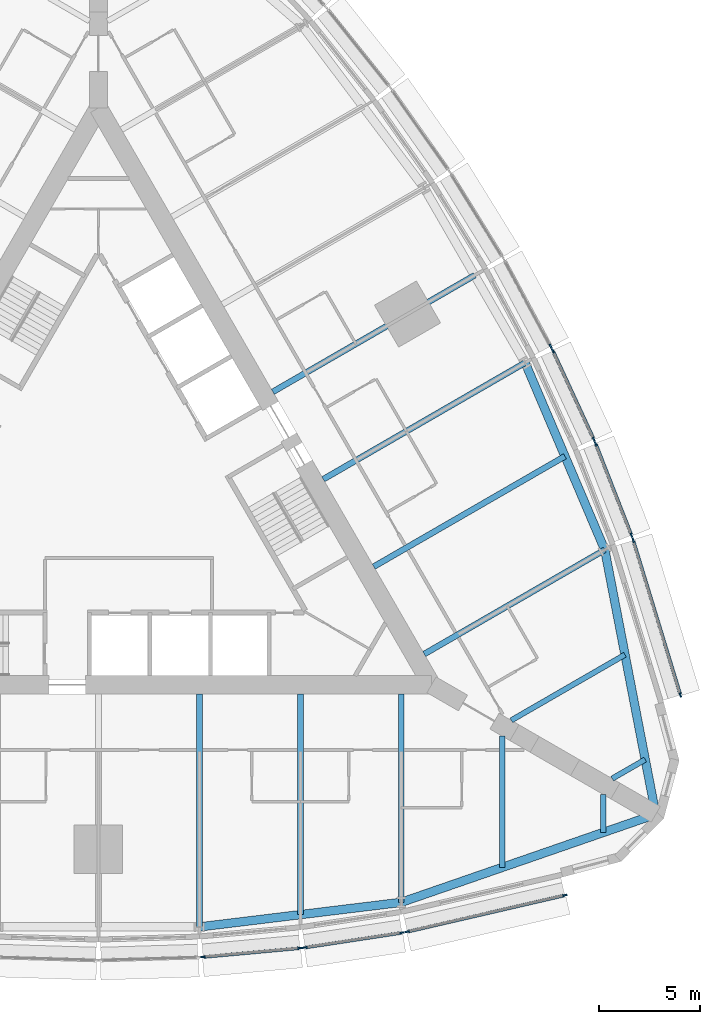
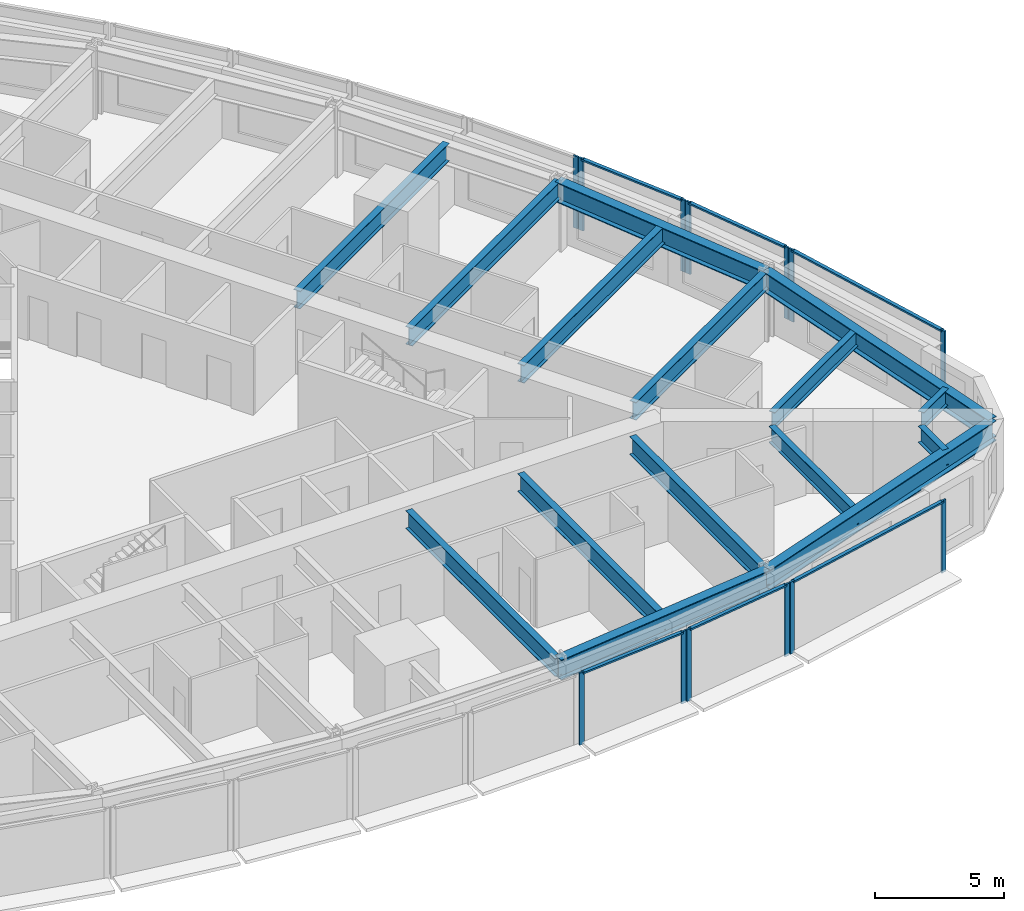
# One storey, part 3 of 14: 19 members, 15 beams, 7 elements without a shape of their own.
"""IFC4 building model written with IfcOpenShell, lengths in metres."""

from ifc_helpers import new_model, si_unit, direction, frame, origin, origin_2d, place, context, subcontext, project, spatial, rectangle, i_section, extrude, material, material_profile, profile_set, type_object, element, aggregate, save


model = new_model("IFC4")

# Units and contexts
model_context = context("Model", 3, precision=1e-05, world=origin(), true_north=direction((0.0, 1.0)))
body_context = subcontext(model_context, "Body", "Model", "MODEL_VIEW")
ifc_project = project(units=[si_unit("LENGTHUNIT", "METRE"), si_unit("AREAUNIT", "SQUARE_METRE"), si_unit("VOLUMEUNIT", "CUBIC_METRE"), si_unit("PLANEANGLEUNIT", "RADIAN"), si_unit("MASSUNIT", "GRAM", prefix="KILO")], contexts=[model_context])

# Site, building, storey
site_placement = place(None, origin())
site = spatial("IfcSite", under=ifc_project, at=site_placement, CompositionType="ELEMENT")
building_placement = place(site_placement, origin())
building = spatial("IfcBuilding", under=site, at=building_placement, Name="Trikona Tower", CompositionType="ELEMENT")
storey_placement = place(building_placement, frame((0.0, 0.0, 93.10009765625)))
storey = spatial("IfcBuildingStorey", under=building, at=storey_placement, Name="L24", CompositionType="ELEMENT", Elevation=93.10009765625)

# Curtain wall, members
ifc_material_1 = material(Name="Aluminium curtain wall system", Category="aluminium")
curtain_wall_type = type_object("IfcCurtainWallType", Name="Curtain wall DS1", PredefinedType="NOTDEFINED", material=ifc_material_1)
curtain_wall_1_placement = place(storey_placement, origin())
curtain_wall_1 = element("IfcCurtainWall", 1, at=curtain_wall_1_placement, inside=storey, type_object=curtain_wall_type, Name="Curtain wall DS1 L24", PredefinedType="NOTDEFINED")
ifc_material_2 = material(Name="Aluminium mullion, pale anodised", Category="aluminium")
ifc_material_profile_1 = material_profile(ifc_material_2, rectangle(XDim=0.080078125, YDim=0.219970703125, at=origin_2d()), Name="MUL-DS1")
ifc_profile_set_1 = profile_set([ifc_material_profile_1], Name="Aluminium mullion, pale anodised")
member_type_1 = type_object("IfcMemberType", Name="Mullion DS1 80x220", PredefinedType="MULLION", material=ifc_profile_set_1)
member_1_placement = place(storey_placement, frame((5.181396484375, -23.007568359375, 0.0), z_axis=(0.0, 0.0, 1.0), x_axis=(-0.090923932737, 0.995857840485, 0.0)))
member_1 = element("IfcMember", 2, at=member_1_placement, type_object=member_type_1, Name="CW-DS1 mullion 1", PredefinedType="MULLION", context=body_context, shape_type="SweptSolid", body=[
    extrude(rectangle(XDim=0.080078125, YDim=0.219970703125, at=origin_2d()), origin(), (0.0, 0.0, 1.0), 3.39990234375),
])
member_2_placement = place(storey_placement, frame((9.982177734375, -22.5693359375, 0.0), z_axis=(0.0, 0.0, 1.0), x_axis=(-0.090923932737, 0.995857840485, 0.0)))
member_2 = element("IfcMember", 3, at=member_2_placement, type_object=member_type_1, Name="CW-DS1 mullion 2", PredefinedType="MULLION", context=body_context, shape_type="SweptSolid", body=[
    extrude(rectangle(XDim=0.080078125, YDim=0.219970703125, at=origin_2d()), origin(), (0.0, 0.0, 1.0), 3.39990234375),
])

curtain_wall_2_placement = place(storey_placement, origin())
curtain_wall_2 = element("IfcCurtainWall", 4, at=curtain_wall_2_placement, inside=storey, type_object=curtain_wall_type, Name="Curtain wall DS1 L24", PredefinedType="NOTDEFINED")
member_3_placement = place(storey_placement, frame((10.234130859375, -22.53857421875, 0.0), z_axis=(0.0, 0.0, 1.0), x_axis=(-0.150437693845, 0.988619492156, 0.0)))
member_3 = element("IfcMember", 5, at=member_3_placement, type_object=member_type_1, Name="CW-DS1 mullion 1", PredefinedType="MULLION", context=body_context, shape_type="SweptSolid", body=[
    extrude(rectangle(XDim=0.080078125, YDim=0.219970703125, at=origin_2d()), origin(), (0.0, 0.0, 1.0), 3.39990234375),
])
member_4_placement = place(storey_placement, frame((15.03662109375, -21.807861328125, 0.0), z_axis=(0.0, 0.0, 1.0), x_axis=(-0.150437693845, 0.988619492156, 0.0)))
member_4 = element("IfcMember", 6, at=member_4_placement, type_object=member_type_1, Name="CW-DS1 mullion 2", PredefinedType="MULLION", context=body_context, shape_type="SweptSolid", body=[
    extrude(rectangle(XDim=0.080078125, YDim=0.219970703125, at=origin_2d()), origin(), (0.0, 0.0, 1.0), 3.39990234375),
])

curtain_wall_3_placement = place(storey_placement, origin())
curtain_wall_3 = element("IfcCurtainWall", 7, at=curtain_wall_3_placement, inside=storey, type_object=curtain_wall_type, Name="Curtain wall DS1 L24", PredefinedType="NOTDEFINED")
member_5_placement = place(storey_placement, frame((15.30029296875, -21.75732421875, 0.0), z_axis=(0.0, 0.0, 1.0), x_axis=(-0.225343288756, 0.974279427173, 0.0)))
member_5 = element("IfcMember", 8, at=member_5_placement, type_object=member_type_1, Name="CW-DS1 mullion 1", PredefinedType="MULLION", context=body_context, shape_type="SweptSolid", body=[
    extrude(rectangle(XDim=0.080078125, YDim=0.219970703125, at=origin_2d()), origin(), (0.0, 0.0, 1.0), 3.39990234375),
])
member_6_placement = place(storey_placement, frame((23.10546875, -19.951904296875, 0.0), z_axis=(0.0, 0.0, 1.0), x_axis=(-0.225343288756, 0.974279427173, 0.0)))
member_6 = element("IfcMember", 9, at=member_6_placement, type_object=member_type_1, Name="CW-DS1 mullion 2", PredefinedType="MULLION", context=body_context, shape_type="SweptSolid", body=[
    extrude(rectangle(XDim=0.080078125, YDim=0.219970703125, at=origin_2d()), origin(), (0.0, 0.0, 1.0), 3.39990234375),
])

curtain_wall_4_placement = place(storey_placement, origin())
curtain_wall_4 = element("IfcCurtainWall", 10, at=curtain_wall_4_placement, inside=storey, type_object=curtain_wall_type, Name="Curtain wall DS1 L24", PredefinedType="NOTDEFINED")
member_7_placement = place(storey_placement, frame((28.83154296875, -10.033935546875, 0.0), z_axis=(0.0, 0.0, 1.0), x_axis=(-0.956423115383, -0.291984287868, 0.0)))
member_7 = element("IfcMember", 11, at=member_7_placement, type_object=member_type_1, Name="CW-DS1 mullion 1", PredefinedType="MULLION", context=body_context, shape_type="SweptSolid", body=[
    extrude(rectangle(XDim=0.080078125, YDim=0.219970703125, at=origin_2d()), origin(), (0.0, 0.0, 1.0), 3.39990234375),
])
member_8_placement = place(storey_placement, frame((26.492431640625, -2.371826171875, 0.0), z_axis=(0.0, 0.0, 1.0), x_axis=(-0.956423115383, -0.291984287868, 0.0)))
member_8 = element("IfcMember", 12, at=member_8_placement, type_object=member_type_1, Name="CW-DS1 mullion 2", PredefinedType="MULLION", context=body_context, shape_type="SweptSolid", body=[
    extrude(rectangle(XDim=0.080078125, YDim=0.219970703125, at=origin_2d()), origin(), (0.0, 0.0, 1.0), 3.39990234375),
])

curtain_wall_5_placement = place(storey_placement, origin())
curtain_wall_5 = element("IfcCurtainWall", 13, at=curtain_wall_5_placement, inside=storey, type_object=curtain_wall_type, Name="Curtain wall DS1 L24", PredefinedType="NOTDEFINED")
member_9_placement = place(storey_placement, frame((26.404296875, -2.1181640625, 0.0), z_axis=(0.0, 0.0, 1.0), x_axis=(-0.931395989443, -0.36400756977, 0.0)))
member_9 = element("IfcMember", 14, at=member_9_placement, type_object=member_type_1, Name="CW-DS1 mullion 1", PredefinedType="MULLION", context=body_context, shape_type="SweptSolid", body=[
    extrude(rectangle(XDim=0.080078125, YDim=0.219970703125, at=origin_2d()), origin(), (0.0, 0.0, 1.0), 3.39990234375),
])
member_10_placement = place(storey_placement, frame((24.63623046875, 2.40625, 0.0), z_axis=(0.0, 0.0, 1.0), x_axis=(-0.931395989443, -0.36400756977, 0.0)))
member_10 = element("IfcMember", 15, at=member_10_placement, type_object=member_type_1, Name="CW-DS1 mullion 2", PredefinedType="MULLION", context=body_context, shape_type="SweptSolid", body=[
    extrude(rectangle(XDim=0.080078125, YDim=0.219970703125, at=origin_2d()), origin(), (0.0, 0.0, 1.0), 3.39990234375),
])

curtain_wall_6_placement = place(storey_placement, origin())
curtain_wall_6 = element("IfcCurtainWall", 16, at=curtain_wall_6_placement, inside=storey, type_object=curtain_wall_type, Name="Curtain wall DS1 L24", PredefinedType="NOTDEFINED")
member_11_placement = place(storey_placement, frame((24.53662109375, 2.6396484375, 0.0), z_axis=(0.0, 0.0, 1.0), x_axis=(-0.907898459992, -0.419190155352, 0.0)))
member_11 = element("IfcMember", 17, at=member_11_placement, type_object=member_type_1, Name="CW-DS1 mullion 1", PredefinedType="MULLION", context=body_context, shape_type="SweptSolid", body=[
    extrude(rectangle(XDim=0.080078125, YDim=0.219970703125, at=origin_2d()), origin(), (0.0, 0.0, 1.0), 3.39990234375),
])
member_12_placement = place(storey_placement, frame((22.515869140625, 7.0166015625, 0.0), z_axis=(0.0, 0.0, 1.0), x_axis=(-0.907898459992, -0.419190155352, 0.0)))
member_12 = element("IfcMember", 18, at=member_12_placement, type_object=member_type_1, Name="CW-DS1 mullion 2", PredefinedType="MULLION", context=body_context, shape_type="SweptSolid", body=[
    extrude(rectangle(XDim=0.080078125, YDim=0.219970703125, at=origin_2d()), origin(), (0.0, 0.0, 1.0), 3.39990234375),
])

# Curtain wall, member
curtain_wall_7_placement = place(storey_placement, origin())
curtain_wall_7 = element("IfcCurtainWall", 19, at=curtain_wall_7_placement, inside=storey, type_object=curtain_wall_type, Name="Curtain wall DS1 L24", PredefinedType="NOTDEFINED")
member_13_placement = place(storey_placement, frame((22.402099609375, 7.244140625, 0.0), z_axis=(0.0, 0.0, 1.0), x_axis=(-0.880843080975, -0.473408350896, 0.0)))
member_13 = element("IfcMember", 20, at=member_13_placement, type_object=member_type_1, Name="CW-DS1 mullion 1", PredefinedType="MULLION", context=body_context, shape_type="SweptSolid", body=[
    extrude(rectangle(XDim=0.080078125, YDim=0.219970703125, at=origin_2d()), origin(), (0.0, 0.0, 1.0), 3.39990234375),
])
aggregate(curtain_wall_7, [member_13])

# Beams
ifc_material_3 = material(Name="Steel ASTM A992 Grade 50", Category="steel")
ifc_material_profile_2 = material_profile(ifc_material_3, i_section(OverallWidth=0.2666015625, OverallDepth=0.76953125, WebThickness=0.015625, FlangeThickness=0.025390625, at=origin_2d()), Name="W30X132")
ifc_profile_set_2 = profile_set([ifc_material_profile_2], Name="Steel ASTM A992 Grade 50")
beam_type_1 = type_object("IfcBeamType", Name="Steel beam W30x132 (wedge)", PredefinedType="BEAM", material=ifc_profile_set_2)
beam_1_placement = place(storey_placement, frame((20.0, -12.066650390625, 2.85009765625), z_axis=(0.0, -1.0, 0.0), x_axis=(1.0, 0.0, 0.0)))
element("IfcBeam", 21, at=beam_1_placement, inside=storey, type_object=beam_type_1, Name="Floor beam L25 F1 u20", PredefinedType="BEAM", context=body_context, shape_type="SweptSolid", body=[
    extrude(i_section(OverallWidth=0.2666015625, OverallDepth=0.76953125, WebThickness=0.015625, FlangeThickness=0.025390625, at=origin_2d()), origin(), (0.0, 0.0, 1.0), 6.5068359375),
])
for number, where, z_axis, x_axis, name in (
    (22, (25.0, -14.953369140625, 2.85009765625), (0.0, -1.0, 0.0), (1.0, 0.0, 0.0), "Floor beam L25 F1 u25"),
    (23, (25.449951171875, -14.173828125, 2.85009765625), (0.866065156741, 0.499931139538, 0.0), (-0.499931139538, 0.866065156741, 0.0), "Floor beam L25 F2 u-25"),
):
    element("IfcBeam", number, at=place(storey_placement, frame(where, z_axis=z_axis, x_axis=x_axis)), inside=storey, type_object=beam_type_1, Name=name, PredefinedType="BEAM", context=body_context, shape_type="SweptSolid", body=[
        extrude(i_section(OverallWidth=0.2666015625, OverallDepth=0.76953125, WebThickness=0.015625, FlangeThickness=0.025390625, at=origin_2d()), origin(), (0.0, 0.0, 1.0), 1.890380859375),
    ])
beam_2_placement = place(storey_placement, frame((20.449951171875, -11.287109375, 2.85009765625), z_axis=(0.866022504693, 0.50000502134, 0.0), x_axis=(-0.50000502134, 0.866022504693, 0.0)))
element("IfcBeam", 24, at=beam_2_placement, inside=storey, type_object=beam_type_1, Name="Floor beam L25 F2 u-20", PredefinedType="BEAM", context=body_context, shape_type="SweptSolid", body=[
    extrude(i_section(OverallWidth=0.2666015625, OverallDepth=0.76953125, WebThickness=0.015625, FlangeThickness=0.025390625, at=origin_2d()), origin(), (0.0, 0.0, 1.0), 6.5068359375),
])
ifc_material_4 = material(Name="Steel ASTM A992 Grade 50", Category="steel")
ifc_material_profile_3 = material_profile(ifc_material_4, i_section(OverallWidth=0.2919921875, OverallDepth=0.845703125, WebThickness=0.015380859375, FlangeThickness=0.0244140625, at=origin_2d()), Name="W33X141")
ifc_profile_set_3 = profile_set([ifc_material_profile_3], Name="Steel ASTM A992 Grade 50")
beam_type_2 = type_object("IfcBeamType", Name="Steel beam W33x141 (radial typ)", PredefinedType="BEAM", material=ifc_profile_set_3)
beam_3_placement = place(storey_placement, frame((5.0, -9.976318359375, 2.81201171875), z_axis=(0.0, -1.0, 0.0), x_axis=(1.0, 0.0, 0.0)))
element("IfcBeam", 25, at=beam_3_placement, inside=storey, type_object=beam_type_2, Name="Floor beam L25 F1 u5", PredefinedType="BEAM", context=body_context, shape_type="SweptSolid", body=[
    extrude(i_section(OverallWidth=0.2919921875, OverallDepth=0.845703125, WebThickness=0.015380859375, FlangeThickness=0.0244140625, at=origin_2d()), origin(), (0.0, 0.0, 1.0), 11.544189453125),
])
beam_4_placement = place(storey_placement, frame((10.0, -9.976318359375, 2.81201171875), z_axis=(0.0, -1.0, 0.0), x_axis=(1.0, 0.0, 0.0)))
element("IfcBeam", 26, at=beam_4_placement, inside=storey, type_object=beam_type_2, Name="Floor beam L25 F1 u10", PredefinedType="BEAM", context=body_context, shape_type="SweptSolid", body=[
    extrude(i_section(OverallWidth=0.2919921875, OverallDepth=0.845703125, WebThickness=0.015380859375, FlangeThickness=0.0244140625, at=origin_2d()), origin(), (0.0, 0.0, 1.0), 10.935302734375),
])
beam_5_placement = place(storey_placement, frame((15.0, -9.976318359375, 2.81201171875), z_axis=(0.0, -1.0, 0.0), x_axis=(1.0, 0.0, 0.0)))
element("IfcBeam", 27, at=beam_5_placement, inside=storey, type_object=beam_type_2, Name="Floor beam L25 F1 u15", PredefinedType="BEAM", context=body_context, shape_type="SweptSolid", body=[
    extrude(i_section(OverallWidth=0.2919921875, OverallDepth=0.845703125, WebThickness=0.015380859375, FlangeThickness=0.0244140625, at=origin_2d()), origin(), (0.0, 0.0, 1.0), 10.32666015625),
])
beam_6_placement = place(storey_placement, frame((16.1396484375, -8.002197265625, 2.81201171875), z_axis=(0.866030471684, 0.499991222037, 0.0), x_axis=(-0.499991222037, 0.866030471684, 0.0)))
element("IfcBeam", 28, at=beam_6_placement, inside=storey, type_object=beam_type_2, Name="Floor beam L25 F2 u-15", PredefinedType="BEAM", context=body_context, shape_type="SweptSolid", body=[
    extrude(i_section(OverallWidth=0.2919921875, OverallDepth=0.845703125, WebThickness=0.015380859375, FlangeThickness=0.0244140625, at=origin_2d()), origin(), (0.0, 0.0, 1.0), 10.326904296875),
])
beam_7_placement = place(storey_placement, frame((13.6396484375, -3.672119140625, 2.81201171875), z_axis=(0.866025348605, 0.500000095573, 0.0), x_axis=(-0.500000095573, 0.866025348605, 0.0)))
element("IfcBeam", 29, at=beam_7_placement, inside=storey, type_object=beam_type_2, Name="Floor beam L25 F2 u-10", PredefinedType="BEAM", context=body_context, shape_type="SweptSolid", body=[
    extrude(i_section(OverallWidth=0.2919921875, OverallDepth=0.845703125, WebThickness=0.015380859375, FlangeThickness=0.0244140625, at=origin_2d()), origin(), (0.0, 0.0, 1.0), 10.935546875),
])
for number, where, z_axis, x_axis, name in (
    (30, (11.1396484375, 0.657958984375, 2.81201171875), (0.866020765707, 0.500008033299, 0.0), (-0.500008033299, 0.866020765707, 0.0), "Floor beam L25 F2 u-5"),
    (31, (8.6396484375, 4.988037109375, 2.81201171875), (0.866020765707, 0.500008033299, 0.0), (-0.500008033299, 0.866020765707, 0.0), "Floor beam L25 F2 u0"),
):
    element("IfcBeam", number, at=place(storey_placement, frame(where, z_axis=z_axis, x_axis=x_axis)), inside=storey, type_object=beam_type_2, Name=name, PredefinedType="BEAM", context=body_context, shape_type="SweptSolid", body=[
        extrude(i_section(OverallWidth=0.2919921875, OverallDepth=0.845703125, WebThickness=0.015380859375, FlangeThickness=0.0244140625, at=origin_2d()), origin(), (0.0, 0.0, 1.0), 11.544189453125),
    ])
ifc_material_5 = material(Name="Steel ASTM A992 Grade 50", Category="steel")
ifc_material_profile_4 = material_profile(ifc_material_5, i_section(OverallWidth=0.424072265625, OverallDepth=0.947509765625, WebThickness=0.02392578125, FlangeThickness=0.042724609375, at=origin_2d()), Name="W36X302")
ifc_profile_set_4 = profile_set([ifc_material_profile_4], Name="Steel ASTM A992 Grade 50")
beam_type_3 = type_object("IfcBeamType", Name="Steel beam W36x302 (spandrel)", PredefinedType="SPANDREL", material=ifc_profile_set_4)
beam_8_placement = place(storey_placement, frame((5.0, -21.5205078125, 2.76123046875), z_axis=(0.99266951126, 0.120860421207, 0.0), x_axis=(-0.120860421207, 0.99266951126, 0.0)))
element("IfcBeam", 32, at=beam_8_placement, inside=storey, type_object=beam_type_3, Name="Spandrel beam L25 F1-4", PredefinedType="SPANDREL", context=body_context, shape_type="SweptSolid", body=[
    extrude(i_section(OverallWidth=0.424072265625, OverallDepth=0.947509765625, WebThickness=0.02392578125, FlangeThickness=0.042724609375, at=origin_2d()), origin(), (0.0, 0.0, 1.0), 10.07373046875),
])
for number, where, z_axis, x_axis, name in (
    (33, (15.0, -20.302978515625, 2.76123046875), (0.945056965739, 0.326905692071, 0.0), (-0.326905692071, 0.945056965739, 0.0), "Spandrel beam L25 F1-5"),
    (34, (27.6103515625, -15.94091796875, 2.76123046875), (-0.189405184036, 0.981899015307, 0.0), (-0.981899015307, -0.189405184036, 0.0), "Spandrel beam L25 F2-1"),
):
    element("IfcBeam", number, at=place(storey_placement, frame(where, z_axis=z_axis, x_axis=x_axis)), inside=storey, type_object=beam_type_3, Name=name, PredefinedType="SPANDREL", context=body_context, shape_type="SweptSolid", body=[
        extrude(i_section(OverallWidth=0.424072265625, OverallDepth=0.947509765625, WebThickness=0.02392578125, FlangeThickness=0.042724609375, at=origin_2d()), origin(), (0.0, 0.0, 1.0), 13.343505859375),
    ])
beam_9_placement = place(storey_placement, frame((25.0830078125, -2.8388671875, 2.76123046875), z_axis=(-0.391683514847, 0.920100007715, 0.0), x_axis=(-0.920100007715, -0.391683514847, 0.0)))
element("IfcBeam", 35, at=beam_9_placement, inside=storey, type_object=beam_type_3, Name="Spandrel beam L25 F2-2", PredefinedType="SPANDREL", context=body_context, shape_type="SweptSolid", body=[
    extrude(i_section(OverallWidth=0.424072265625, OverallDepth=0.947509765625, WebThickness=0.02392578125, FlangeThickness=0.042724609375, at=origin_2d()), origin(), (0.0, 0.0, 1.0), 10.073974609375),
])

# Member
ifc_material_6 = material(Name="Aluminium transom, pale anodised", Category="aluminium")
ifc_material_profile_5 = material_profile(ifc_material_6, rectangle(XDim=0.159912109375, YDim=0.080078125, at=origin_2d()), Name="TRN-DS1")
ifc_profile_set_5 = profile_set([ifc_material_profile_5], Name="Aluminium transom, pale anodised")
member_type_2 = type_object("IfcMemberType", Name="Transom DS1 80x160", PredefinedType="USERDEFINED", material=ifc_profile_set_5)
member_14_placement = place(storey_placement, frame((5.22119140625, -23.00390625, 3.35986328125), z_axis=(0.995855977008, 0.090944340438, 0.0), x_axis=(-0.090944340438, 0.995855977008, 0.0)))
member_14 = element("IfcMember", 36, at=member_14_placement, type_object=member_type_2, Name="CW-DS1 transom 1.1", ObjectType="TRANSOM", PredefinedType="USERDEFINED", context=body_context, shape_type="SweptSolid", body=[
    extrude(rectangle(XDim=0.159912109375, YDim=0.080078125, at=origin_2d()), origin(), (0.0, 0.0, 1.0), 4.74072265625),
])

aggregate(curtain_wall_1, [member_1, member_2, member_14])

member_15_placement = place(storey_placement, frame((10.273681640625, -22.532470703125, 3.35986328125), z_axis=(0.988619663412, 0.150436568413, 0.0), x_axis=(-0.150436568413, 0.988619663412, 0.0)))
member_15 = element("IfcMember", 37, at=member_15_placement, type_object=member_type_2, Name="CW-DS1 transom 1.1", ObjectType="TRANSOM", PredefinedType="USERDEFINED", context=body_context, shape_type="SweptSolid", body=[
    extrude(rectangle(XDim=0.159912109375, YDim=0.080078125, at=origin_2d()), origin(), (0.0, 0.0, 1.0), 4.77783203125),
])

aggregate(curtain_wall_2, [member_3, member_4, member_15])

member_16_placement = place(storey_placement, frame((15.33935546875, -21.748291015625, 3.35986328125), z_axis=(0.974275371842, 0.225360821398, 0.0), x_axis=(-0.225360821398, 0.974275371842, 0.0)))
member_16 = element("IfcMember", 38, at=member_16_placement, type_object=member_type_2, Name="CW-DS1 transom 1.1", ObjectType="TRANSOM", PredefinedType="USERDEFINED", context=body_context, shape_type="SweptSolid", body=[
    extrude(rectangle(XDim=0.159912109375, YDim=0.080078125, at=origin_2d()), origin(), (0.0, 0.0, 1.0), 7.93115234375),
])

aggregate(curtain_wall_3, [member_5, member_6, member_16])

member_17_placement = place(storey_placement, frame((28.81982421875, -9.99560546875, 3.35986328125), z_axis=(-0.291967490203, 0.956428243343, 0.0), x_axis=(-0.956428243343, -0.291967490203, 0.0)))
member_17 = element("IfcMember", 39, at=member_17_placement, type_object=member_type_2, Name="CW-DS1 transom 1.1", ObjectType="TRANSOM", PredefinedType="USERDEFINED", context=body_context, shape_type="SweptSolid", body=[
    extrude(rectangle(XDim=0.159912109375, YDim=0.080078125, at=origin_2d()), origin(), (0.0, 0.0, 1.0), 7.93115234375),
])

aggregate(curtain_wall_4, [member_7, member_8, member_17])

member_18_placement = place(storey_placement, frame((26.389892578125, -2.080810546875, 3.35986328125), z_axis=(-0.364048647668, 0.931379934362, 0.0), x_axis=(-0.931379934362, -0.364048647668, 0.0)))
member_18 = element("IfcMember", 40, at=member_18_placement, type_object=member_type_2, Name="CW-DS1 transom 1.1", ObjectType="TRANSOM", PredefinedType="USERDEFINED", context=body_context, shape_type="SweptSolid", body=[
    extrude(rectangle(XDim=0.159912109375, YDim=0.080078125, at=origin_2d()), origin(), (0.0, 0.0, 1.0), 4.777587890625),
])

aggregate(curtain_wall_5, [member_9, member_10, member_18])

member_19_placement = place(storey_placement, frame((24.52001953125, 2.676025390625, 3.35986328125), z_axis=(-0.419188800665, 0.90789908547, 0.0), x_axis=(-0.90789908547, -0.419188800665, 0.0)))
member_19 = element("IfcMember", 41, at=member_19_placement, type_object=member_type_2, Name="CW-DS1 transom 1.1", ObjectType="TRANSOM", PredefinedType="USERDEFINED", context=body_context, shape_type="SweptSolid", body=[
    extrude(rectangle(XDim=0.159912109375, YDim=0.080078125, at=origin_2d()), origin(), (0.0, 0.0, 1.0), 4.74072265625),
])

aggregate(curtain_wall_6, [member_11, member_12, member_19])

save(model, "model.ifc")
